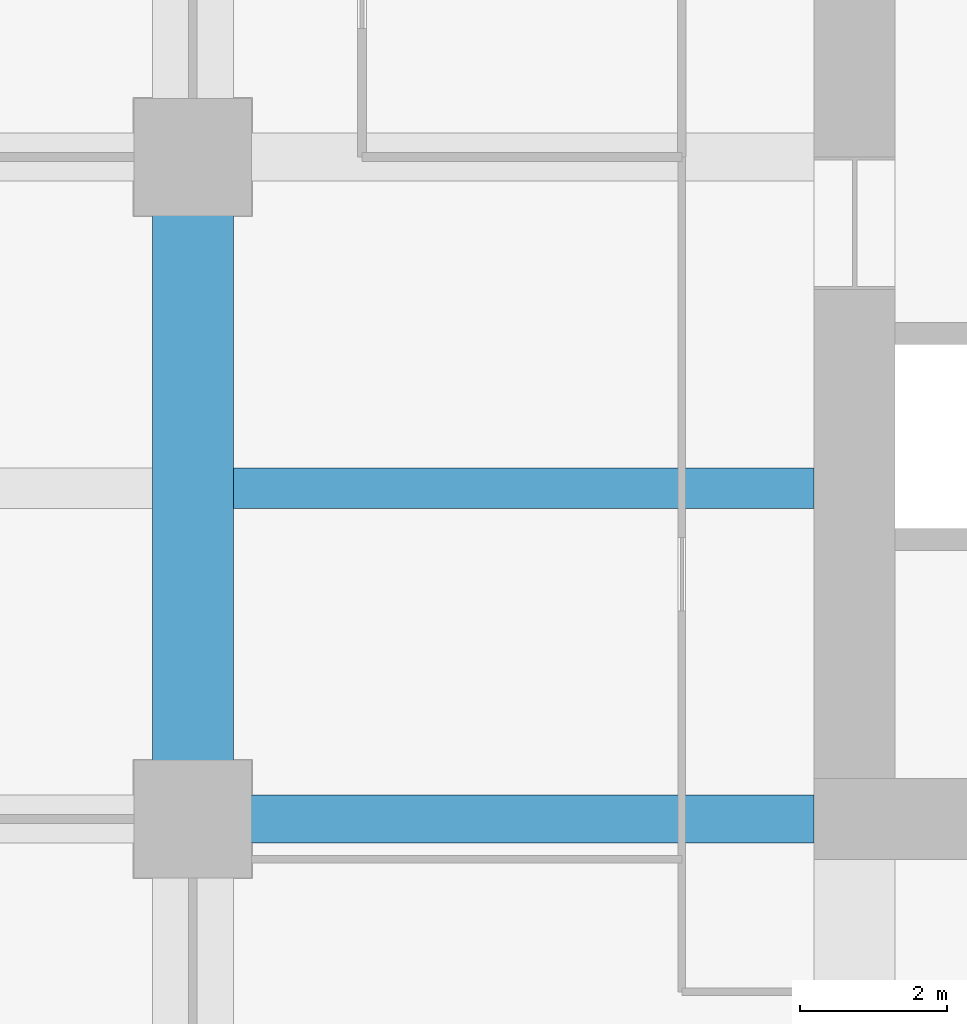
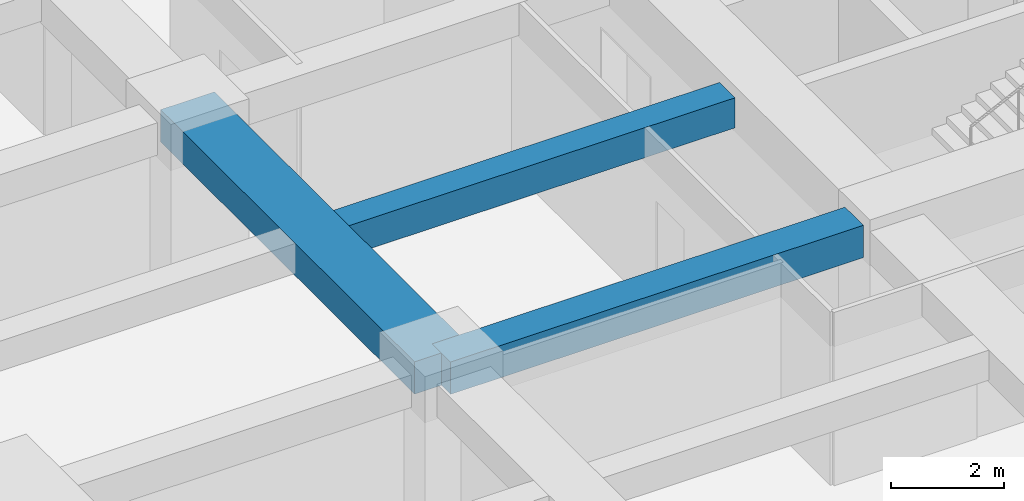
# One storey, part 10 of 32: 3 beams.
"""IFC4 building model written with IfcOpenShell, lengths in metres."""

from ifc_helpers import new_model, si_unit, direction, frame, origin, origin_2d, place, context, subcontext, project, spatial, rectangle, extrude, material, material_profile, profile_set, type_object, element, save


model = new_model("IFC4")

# Units and contexts
model_context = context("Model", 3, precision=1e-05, world=origin(), true_north=direction((0.0, 1.0)))
body_context = subcontext(model_context, "Body", "Model", "MODEL_VIEW")
ifc_project = project(units=[si_unit("LENGTHUNIT", "METRE"), si_unit("AREAUNIT", "SQUARE_METRE"), si_unit("VOLUMEUNIT", "CUBIC_METRE"), si_unit("PLANEANGLEUNIT", "RADIAN"), si_unit("MASSUNIT", "GRAM", prefix="KILO")], contexts=[model_context])

# Site, building, storey
site_placement = place(None, origin())
site = spatial("IfcSite", under=ifc_project, at=site_placement, CompositionType="ELEMENT")
building_placement = place(site_placement, origin())
building = spatial("IfcBuilding", under=site, at=building_placement, Name="Zorevar Civic Tower", CompositionType="ELEMENT")
storey_placement = place(building_placement, frame((0.0, 0.0, 186.199951171875)))
storey = spatial("IfcBuildingStorey", under=building, at=storey_placement, Name="L45", CompositionType="ELEMENT", Elevation=186.199951171875)

# Beams
ifc_material_1 = material(Name="Concrete C50/60", Category="concrete")
ifc_material_profile_1 = material_profile(ifc_material_1, rectangle(XDim=1.10009765625, YDim=0.699951171875, at=origin_2d()), Name="RC 1100x700")
ifc_profile_set_1 = profile_set([ifc_material_profile_1], Name="Concrete C50/60")
beam_type_1 = type_object("IfcBeamType", Name="Beam RC 1100x700", PredefinedType="BEAM", material=ifc_profile_set_1)
beam_1_placement = place(storey_placement, frame((9.0, 18.0, 3.400146484375), z_axis=(0.0, 1.0, 0.0), x_axis=(-1.0, 0.0, 0.0)))
element("IfcBeam", 1, at=beam_1_placement, inside=storey, type_object=beam_type_1, Name="Girder L46", PredefinedType="BEAM", context=body_context, shape_type="SweptSolid", body=[
    extrude(rectangle(XDim=1.10009765625, YDim=0.699951171875, at=origin_2d()), origin(), (0.0, 0.0, 1.0), 9.0),
])
ifc_material_2 = material(Name="Concrete C50/60", Category="concrete")
ifc_material_profile_2 = material_profile(ifc_material_2, rectangle(XDim=0.550048828125, YDim=0.64990234375, at=origin_2d()), Name="RC 550x650")
ifc_profile_set_2 = profile_set([ifc_material_profile_2], Name="Concrete C50/60")
beam_type_2 = type_object("IfcBeamType", Name="Beam RC 550x650", PredefinedType="BEAM", material=ifc_profile_set_2)
beam_2_placement = place(storey_placement, frame((9.550048828125, 22.5, 3.425048828125), z_axis=(1.0, 0.0, 0.0), x_axis=(0.0, 1.0, 0.0)))
element("IfcBeam", 2, at=beam_2_placement, inside=storey, type_object=beam_type_2, Name="Secondary beam L46", PredefinedType="BEAM", context=body_context, shape_type="SweptSolid", body=[
    extrude(rectangle(XDim=0.550048828125, YDim=0.64990234375, at=origin_2d()), origin(), (0.0, 0.0, 1.0), 7.89990234375),
])
ifc_material_3 = material(Name="Concrete C50/60", Category="concrete")
ifc_material_profile_3 = material_profile(ifc_material_3, rectangle(XDim=0.64990234375, YDim=0.699951171875, at=origin_2d()), Name="RC 650x700")
ifc_profile_set_3 = profile_set([ifc_material_profile_3], Name="Concrete C50/60")
beam_type_3 = type_object("IfcBeamType", Name="Beam RC 650x700", PredefinedType="BEAM", material=ifc_profile_set_3)
beam_3_placement = place(storey_placement, frame((9.0, 18.0, 3.400146484375), z_axis=(1.0, 0.0, 0.0), x_axis=(0.0, 1.0, 0.0)))
element("IfcBeam", 3, at=beam_3_placement, inside=storey, type_object=beam_type_3, Name="Girder L46", PredefinedType="BEAM", context=body_context, shape_type="SweptSolid", body=[
    extrude(rectangle(XDim=0.64990234375, YDim=0.699951171875, at=origin_2d()), origin(), (0.0, 0.0, 1.0), 8.449951171875),
])

save(model, "model.ifc")
